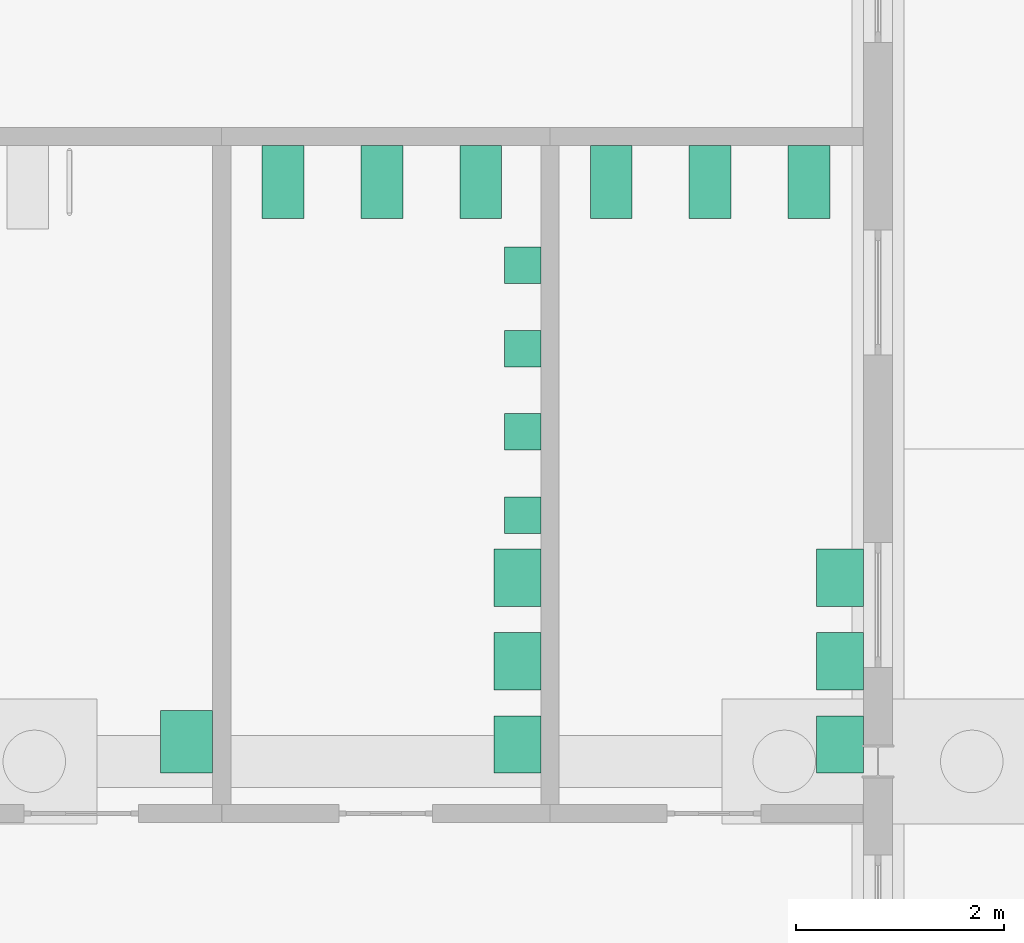
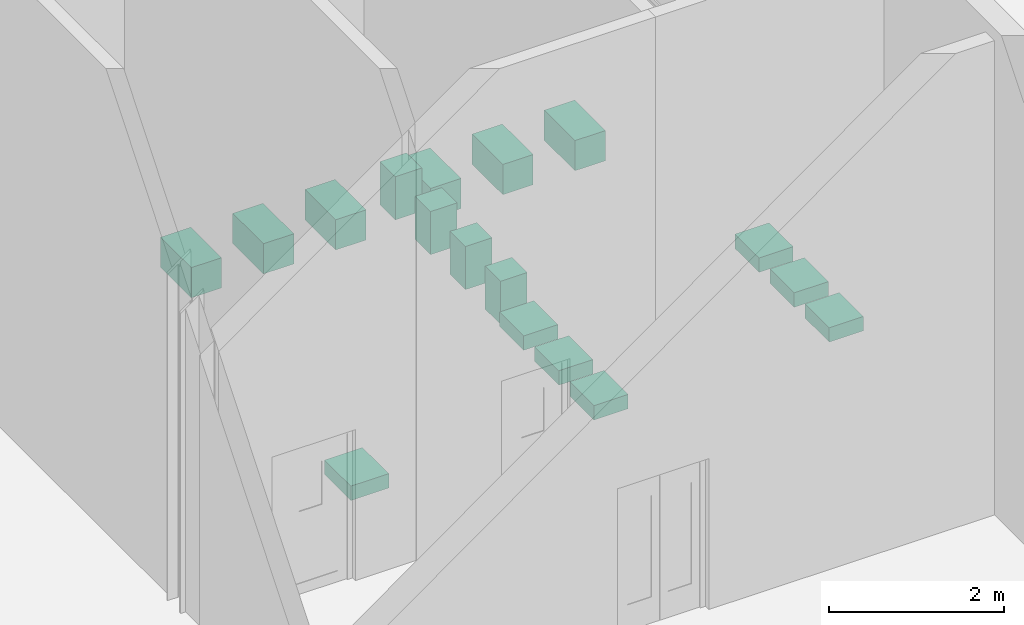
# One storey, part 234 of 250: 17 sanitary terminals.
"""IFC4 building model written with IfcOpenShell, lengths in metres."""

from ifc_helpers import new_model, si_unit, direction, frame, origin, origin_2d, place, context, subcontext, project, spatial, rectangle, extrude, material, type_object, element, save


model = new_model("IFC4")

# Units and contexts
model_context = context("Model", 3, precision=1e-05, world=origin(), true_north=direction((0.0, 1.0)))
body_context = subcontext(model_context, "Body", "Model", "MODEL_VIEW")
ifc_project = project(units=[si_unit("LENGTHUNIT", "METRE"), si_unit("AREAUNIT", "SQUARE_METRE"), si_unit("VOLUMEUNIT", "CUBIC_METRE"), si_unit("PLANEANGLEUNIT", "RADIAN"), si_unit("MASSUNIT", "GRAM", prefix="KILO")], contexts=[model_context])

# Site, building, storey
site_placement = place(None, origin())
site = spatial("IfcSite", under=ifc_project, at=site_placement, CompositionType="ELEMENT")
building_placement = place(site_placement, origin())
building = spatial("IfcBuilding", under=site, at=building_placement, Name="Baradari Gate Terminus", CompositionType="ELEMENT")
storey_placement = place(building_placement, origin())
storey = spatial("IfcBuildingStorey", under=building, at=storey_placement, Name="L00", CompositionType="ELEMENT", Elevation=0.0)

# Sanitary terminals
ifc_material_1 = material(Name="Vitreous china", Category="ceramic")
sanitary_terminal_type_1 = type_object("IfcSanitaryTerminalType", Name="Accessible wash basin SW-6", PredefinedType="WASHHANDBASIN", material=ifc_material_1)
sanitary_terminal_placement = place(storey_placement, frame((236.362548828125, 90.1875, 0.75), z_axis=(0.0, 0.0, 1.0), x_axis=(1.0, 0.0, 0.0)))
element("IfcSanitaryTerminal", 1, at=sanitary_terminal_placement, inside=storey, type_object=sanitary_terminal_type_1, Name="Accessible wash basin Accessible WC", PredefinedType="WASHHANDBASIN", context=body_context, shape_type="SweptSolid", body=[
    extrude(rectangle(XDim=0.5, YDim=0.60009765625, at=origin_2d()), origin(), (0.0, 0.0, 1.0), 0.199951171875),
])
ifc_material_2 = material(Name="Vitreous china", Category="ceramic")
sanitary_terminal_type_2 = type_object("IfcSanitaryTerminalType", Name="Urinal SW-3", PredefinedType="URINAL", material=ifc_material_2)
for number, where, z_axis, x_axis, name in (
    (2, (239.58740234375, 92.362548828125, 0.64990234375), (0.0, 0.0, 1.0), (1.0, 0.0, 0.0), "Urinal Male WC"),
    (3, (239.58740234375, 93.16259765625, 0.64990234375), (0.0, 0.0, 1.0), (1.0, 0.0, 0.0), "Urinal Male WC"),
    (4, (239.58740234375, 93.96240234375, 0.64990234375), (0.0, 0.0, 1.0), (1.0, 0.0, 0.0), "Urinal Male WC"),
    (5, (239.58740234375, 94.762451171875, 0.64990234375), (0.0, 0.0, 1.0), (1.0, 0.0, 0.0), "Urinal Male WC"),
):
    element("IfcSanitaryTerminal", number, at=place(storey_placement, frame(where, z_axis=z_axis, x_axis=x_axis)), inside=storey, type_object=sanitary_terminal_type_2, Name=name, PredefinedType="URINAL", context=body_context, shape_type="SweptSolid", body=[
        extrude(rectangle(XDim=0.35009765625, YDim=0.35009765625, at=origin_2d()), origin(), (0.0, 0.0, 1.0), 0.60009765625),
    ])
ifc_material_3 = material(Name="Vitreous china", Category="ceramic")
sanitary_terminal_type_3 = type_object("IfcSanitaryTerminalType", Name="WC pan SW-1", PredefinedType="TOILETPAN", material=ifc_material_3)
for number, where, z_axis, x_axis, name in (
    (6, (237.28759765625, 95.5625, 0.0), (0.0, 0.0, 1.0), (1.0, 0.0, 0.0), "WC pan Male WC"),
    (7, (238.237548828125, 95.5625, 0.0), (0.0, 0.0, 1.0), (1.0, 0.0, 0.0), "WC pan Male WC"),
    (8, (239.1875, 95.5625, 0.0), (0.0, 0.0, 1.0), (1.0, 0.0, 0.0), "WC pan Male WC"),
    (9, (240.4375, 95.5625, 0.0), (0.0, 0.0, 1.0), (1.0, 0.0, 0.0), "WC pan Female WC"),
    (10, (241.387451171875, 95.5625, 0.0), (0.0, 0.0, 1.0), (1.0, 0.0, 0.0), "WC pan Female WC"),
    (11, (242.33740234375, 95.5625, 0.0), (0.0, 0.0, 1.0), (1.0, 0.0, 0.0), "WC pan Female WC"),
):
    element("IfcSanitaryTerminal", number, at=place(storey_placement, frame(where, z_axis=z_axis, x_axis=x_axis)), inside=storey, type_object=sanitary_terminal_type_3, Name=name, PredefinedType="TOILETPAN", context=body_context, shape_type="SweptSolid", body=[
        extrude(rectangle(XDim=0.39990234375, YDim=0.699951171875, at=origin_2d()), origin(), (0.0, 0.0, 1.0), 0.419921875),
    ])
ifc_material_4 = material(Name="Vitreous china", Category="ceramic")
sanitary_terminal_type_4 = type_object("IfcSanitaryTerminalType", Name="Wash basin SW-2", PredefinedType="WASHHANDBASIN", material=ifc_material_4)
for number, where, z_axis, x_axis, name in (
    (12, (239.53759765625, 90.16259765625, 0.75), (0.0, 0.0, 1.0), (1.0, 0.0, 0.0), "Wash basin Male WC"),
    (13, (239.53759765625, 90.96240234375, 0.75), (0.0, 0.0, 1.0), (1.0, 0.0, 0.0), "Wash basin Male WC"),
    (14, (239.53759765625, 91.762451171875, 0.75), (0.0, 0.0, 1.0), (1.0, 0.0, 0.0), "Wash basin Male WC"),
    (15, (242.635009765625, 90.16259765625, 0.75), (0.0, 0.0, 1.0), (1.0, 0.0, 0.0), "Wash basin Female WC"),
    (16, (242.635009765625, 90.96240234375, 0.75), (0.0, 0.0, 1.0), (1.0, 0.0, 0.0), "Wash basin Female WC"),
    (17, (242.635009765625, 91.762451171875, 0.75), (0.0, 0.0, 1.0), (1.0, 0.0, 0.0), "Wash basin Female WC"),
):
    element("IfcSanitaryTerminal", number, at=place(storey_placement, frame(where, z_axis=z_axis, x_axis=x_axis)), inside=storey, type_object=sanitary_terminal_type_4, Name=name, PredefinedType="WASHHANDBASIN", context=body_context, shape_type="SweptSolid", body=[
        extrude(rectangle(XDim=0.449951171875, YDim=0.550048828125, at=origin_2d()), origin(), (0.0, 0.0, 1.0), 0.199951171875),
    ])

save(model, "model.ifc")
